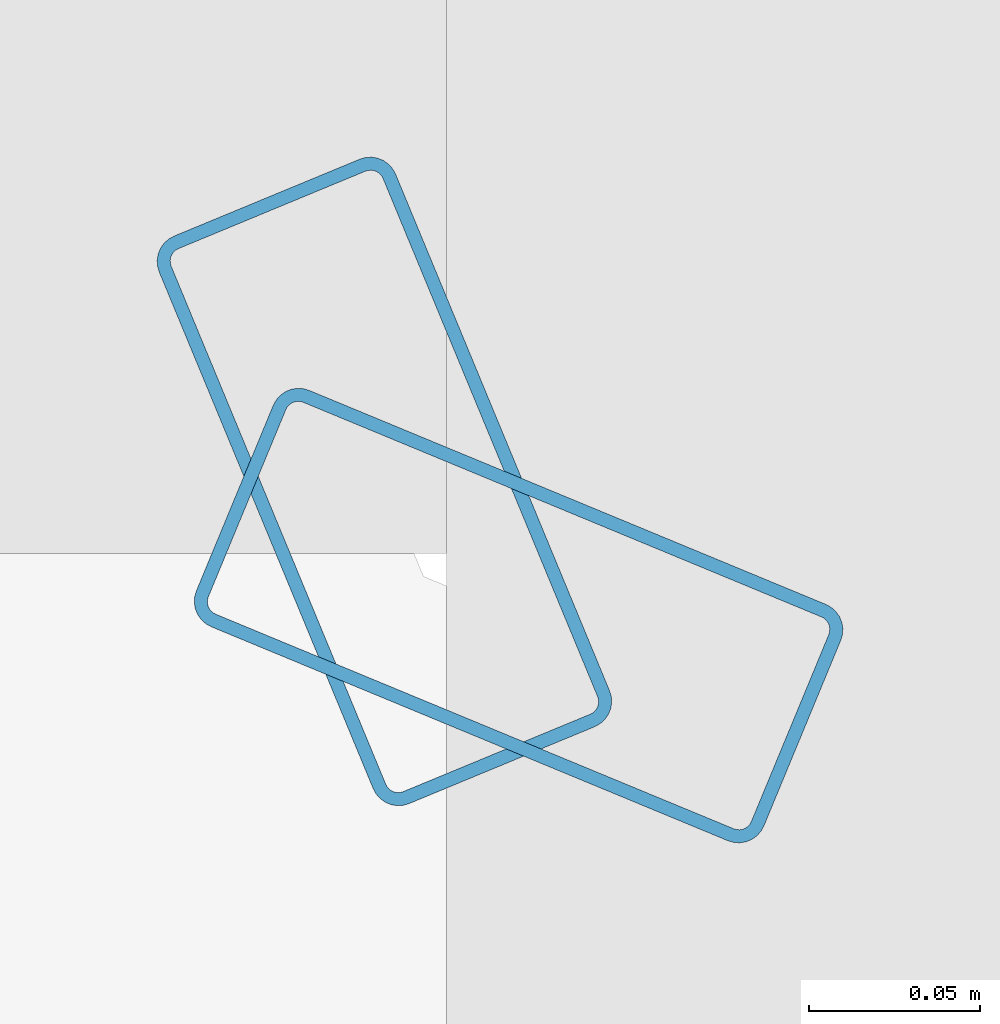
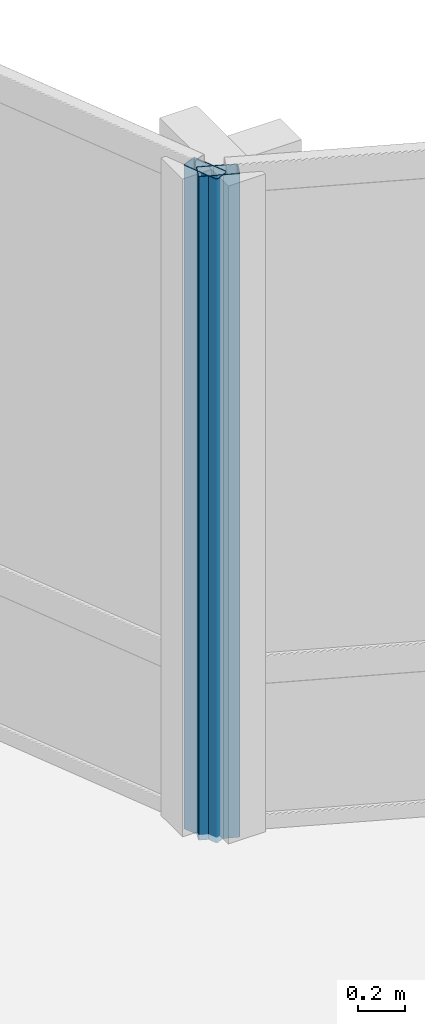
# One storey, part 8 of 28: 2 members, 2 elements without a shape of their own.
"""IFC4 building model written with IfcOpenShell, lengths in metres."""

from ifc_helpers import new_model, si_unit, direction, frame, origin, origin_2d, place, context, subcontext, project, spatial, hollow_rectangle, extrude, material, layer, layer_set, material_profile, profile_set, type_object, element, aggregate, save


model = new_model("IFC4")

# Units and contexts
model_context = context("Model", 3, precision=1e-05, world=origin(), true_north=direction((0.0, 1.0)))
body_context = subcontext(model_context, "Body", "Model", "MODEL_VIEW")
ifc_project = project(units=[si_unit("LENGTHUNIT", "METRE"), si_unit("AREAUNIT", "SQUARE_METRE"), si_unit("VOLUMEUNIT", "CUBIC_METRE"), si_unit("PLANEANGLEUNIT", "RADIAN"), si_unit("MASSUNIT", "GRAM", prefix="KILO")], contexts=[model_context])

# Site, building, storey
site_placement = place(None, origin())
site = spatial("IfcSite", under=ifc_project, at=site_placement, CompositionType="ELEMENT")
building_placement = place(site_placement, origin())
building = spatial("IfcBuilding", under=site, at=building_placement, Name="Solvaryn Broadcast Tower", CompositionType="ELEMENT")
storey_placement = place(building_placement, frame((0.0, 0.0, 135.89990234375)))
storey = spatial("IfcBuildingStorey", under=building, at=storey_placement, Name="L33", CompositionType="ELEMENT", Elevation=135.89990234375)

# Curtain wall, member
ifc_material_1 = material(Name="Aluminium and Terracotta Unitised Curtain Wall", Category="masonry")
ifc_layer = layer(ifc_material_1, 0.199951171875)
ifc_layer_set = layer_set([ifc_layer], Name="CW-SYS2-LOWMID")
curtain_wall_type = type_object("IfcCurtainWallType", Name="CW-SYS2-LOWMID", PredefinedType="NOTDEFINED", material=ifc_layer_set)
curtain_wall_1_placement = place(storey_placement, origin())
curtain_wall_1 = element("IfcCurtainWall", 1, at=curtain_wall_1_placement, inside=storey, type_object=curtain_wall_type, Name="L33 Curtain Wall CN1", PredefinedType="NOTDEFINED")
ifc_material_2 = material(Name="Anodised Aluminium 6063-T6", Category="aluminium")
ifc_material_profile = material_profile(ifc_material_2, hollow_rectangle(XDim=0.074951171875, YDim=0.179931640625, WallThickness=0.00390625, InnerFilletRadius=0.00390625, OuterFilletRadius=0.008056640625, at=origin_2d()))
ifc_profile_set = profile_set([ifc_material_profile], Name="Anodised Aluminium 6063-T6")
member_type = type_object("IfcMemberType", Name="CW-MUL-180", PredefinedType="MULLION", material=ifc_profile_set)
member_1_placement = place(storey_placement, frame((30.395751953125, 30.3564453125, 0.0), z_axis=(0.0, 0.0, 1.0), x_axis=(-0.382646127145, -0.923894983957, 0.0)))
member_1 = element("IfcMember", 2, at=member_1_placement, type_object=member_type, Name="CWS2 mullion 2", PredefinedType="MULLION", context=body_context, shape_type="SweptSolid", body=[
    extrude(hollow_rectangle(XDim=0.074951171875, YDim=0.179931640625, WallThickness=0.00390625, InnerFilletRadius=0.00390625, OuterFilletRadius=0.008056640625, at=origin_2d()), origin(), (0.0, 0.0, 1.0), 3.420166015625),
])
aggregate(curtain_wall_1, [member_1])

curtain_wall_2_placement = place(storey_placement, origin())
curtain_wall_2 = element("IfcCurtainWall", 3, at=curtain_wall_2_placement, inside=storey, type_object=curtain_wall_type, Name="L33 Curtain Wall CN2", PredefinedType="NOTDEFINED")
member_2_placement = place(storey_placement, frame((30.3564453125, 30.395751953125, 0.0), z_axis=(0.0, 0.0, 1.0), x_axis=(-0.923894983957, -0.382646127145, 0.0)))
member_2 = element("IfcMember", 4, at=member_2_placement, type_object=member_type, Name="CWS2 mullion 1", PredefinedType="MULLION", context=body_context, shape_type="SweptSolid", body=[
    extrude(hollow_rectangle(XDim=0.074951171875, YDim=0.179931640625, WallThickness=0.00390625, InnerFilletRadius=0.00390625, OuterFilletRadius=0.008056640625, at=origin_2d()), origin(), (0.0, 0.0, 1.0), 3.420166015625),
])
aggregate(curtain_wall_2, [member_2])

save(model, "model.ifc")
